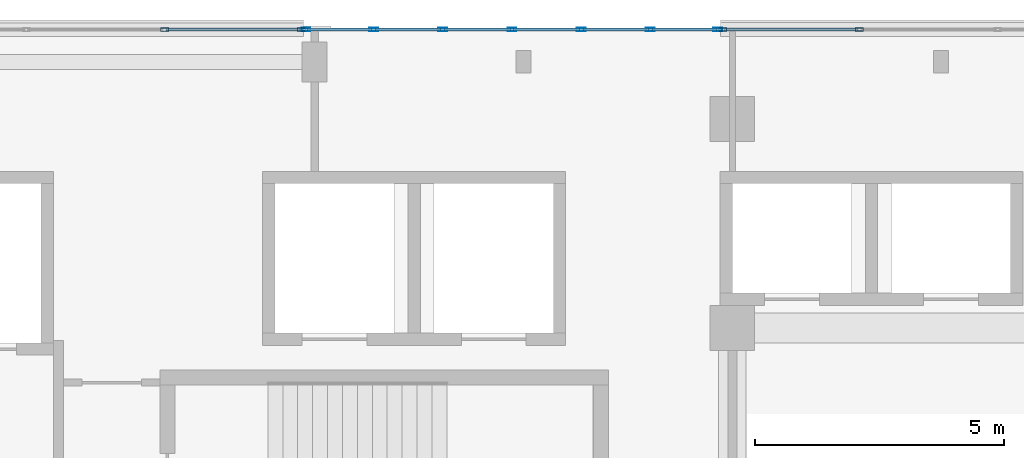
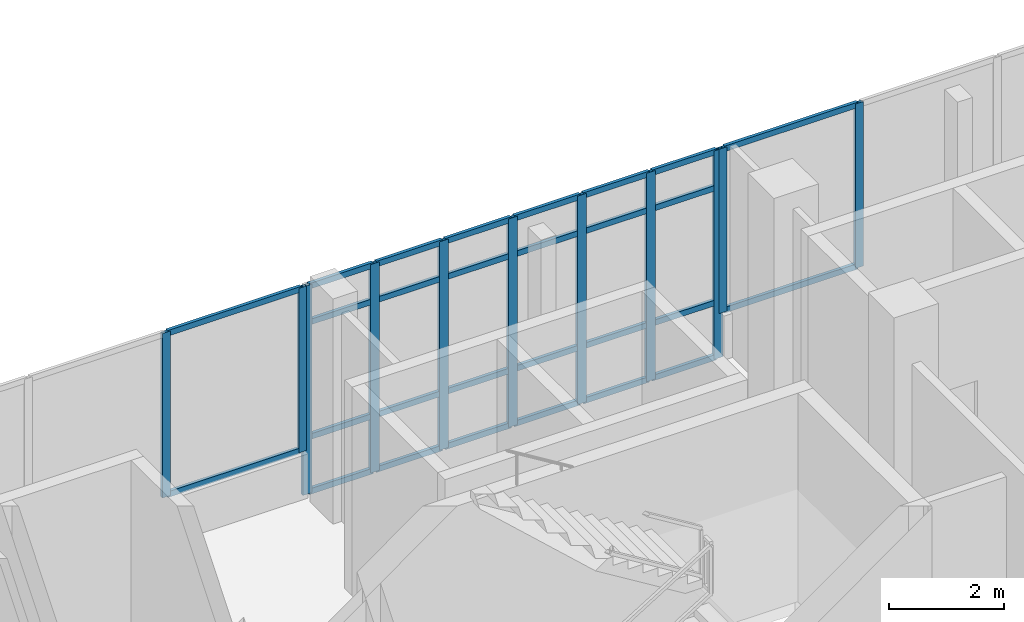
# One storey, part 97 of 168: 39 members, 3 elements without a shape of their own.
"""IFC4 building model written with IfcOpenShell, lengths in metres."""

from ifc_helpers import new_model, si_unit, direction, frame, origin, origin_2d, place, context, subcontext, project, spatial, hollow_rectangle, extrude, material, material_profile, profile_set, type_object, element, aggregate, save


model = new_model("IFC4")

# Units and contexts
model_context = context("Model", 3, precision=1e-05, world=origin(), true_north=direction((0.0, 1.0)))
body_context = subcontext(model_context, "Body", "Model", "MODEL_VIEW")
ifc_project = project(units=[si_unit("LENGTHUNIT", "METRE"), si_unit("AREAUNIT", "SQUARE_METRE"), si_unit("VOLUMEUNIT", "CUBIC_METRE"), si_unit("PLANEANGLEUNIT", "RADIAN"), si_unit("MASSUNIT", "GRAM", prefix="KILO")], contexts=[model_context])

# Site, building, storey
site_placement = place(None, origin())
site = spatial("IfcSite", under=ifc_project, at=site_placement, CompositionType="ELEMENT")
building_placement = place(site_placement, origin())
building = spatial("IfcBuilding", under=site, at=building_placement, Name="Selatvlak General Hospital", CompositionType="ELEMENT")
storey_placement = place(building_placement, frame((0.0, 0.0, 5.39990234375)))
storey = spatial("IfcBuildingStorey", under=building, at=storey_placement, Name="L01", CompositionType="ELEMENT", Elevation=5.39990234375)

# Curtain wall, members
ifc_material_1 = material(Name="Solar-control Low-E double glazing", Category="glass")
curtain_wall_type_1 = type_object("IfcCurtainWallType", Name="CW-CW-01", PredefinedType="USERDEFINED", material=ifc_material_1)
curtain_wall_1_placement = place(storey_placement, origin())
curtain_wall_1 = element("IfcCurtainWall", 1, at=curtain_wall_1_placement, inside=storey, type_object=curtain_wall_type_1, Name="Glazed facade curtain wall CW-L01-0122", ObjectType="UNITISED CURTAIN WALL", PredefinedType="USERDEFINED")
ifc_material_2 = material(Name="Dark anodised aluminium mullion", Category="aluminium")
ifc_material_profile_1 = material_profile(ifc_material_2, hollow_rectangle(XDim=0.06494140625, YDim=0.159912109375, WallThickness=0.00390625, at=origin_2d()), Name="AL-MUL 65x160x4")
ifc_profile_set_1 = profile_set([ifc_material_profile_1], Name="Dark anodised aluminium mullion")
member_type_1 = type_object("IfcMemberType", Name="CWM-01", PredefinedType="MULLION", material=ifc_profile_set_1)
member_1_placement = place(storey_placement, frame((103.781005859375, 119.999755859375, 0.940185546875), z_axis=(0.0, 0.0, 1.0), x_axis=(-0.000119774825, 0.999999992827, 0.0)))
member_1 = element("IfcMember", 2, at=member_1_placement, type_object=member_type_1, Name="CW-01 mullion 3", PredefinedType="MULLION", context=body_context, shape_type="SweptSolid", body=[
    extrude(hollow_rectangle(XDim=0.06494140625, YDim=0.159912109375, WallThickness=0.00390625, at=origin_2d()), origin(), (0.0, 0.0, 1.0), 3.5048828125),
])
member_2_placement = place(storey_placement, frame((106.531494140625, 120.0, 0.940185546875), z_axis=(0.0, 0.0, 1.0), x_axis=(-0.000119774825, 0.999999992827, 0.0)))
member_2 = element("IfcMember", 3, at=member_2_placement, type_object=member_type_1, Name="CW-01 mullion 4", PredefinedType="MULLION", context=body_context, shape_type="SweptSolid", body=[
    extrude(hollow_rectangle(XDim=0.06494140625, YDim=0.159912109375, WallThickness=0.00390625, at=origin_2d()), origin(), (0.0, 0.0, 1.0), 3.5048828125),
])

curtain_wall_2_placement = place(storey_placement, origin())
curtain_wall_2 = element("IfcCurtainWall", 4, at=curtain_wall_2_placement, inside=storey, type_object=curtain_wall_type_1, Name="Glazed facade curtain wall CW-L01-0124", ObjectType="UNITISED CURTAIN WALL", PredefinedType="USERDEFINED")
member_3_placement = place(storey_placement, frame((115.006591796875, 120.0, 0.940185546875), z_axis=(0.0, 0.0, 1.0), x_axis=(0.0, 1.0, 0.0)))
member_3 = element("IfcMember", 5, at=member_3_placement, type_object=member_type_1, Name="CW-01 mullion 1", PredefinedType="MULLION", context=body_context, shape_type="SweptSolid", body=[
    extrude(hollow_rectangle(XDim=0.06494140625, YDim=0.159912109375, WallThickness=0.00390625, at=origin_2d()), origin(), (0.0, 0.0, 1.0), 3.5048828125),
])
member_4_placement = place(storey_placement, frame((117.75732421875, 120.0, 0.940185546875), z_axis=(0.0, 0.0, 1.0), x_axis=(0.0, 1.0, 0.0)))
member_4 = element("IfcMember", 6, at=member_4_placement, type_object=member_type_1, Name="CW-01 mullion 2", PredefinedType="MULLION", context=body_context, shape_type="SweptSolid", body=[
    extrude(hollow_rectangle(XDim=0.06494140625, YDim=0.159912109375, WallThickness=0.00390625, at=origin_2d()), origin(), (0.0, 0.0, 1.0), 3.5048828125),
])

curtain_wall_type_2 = type_object("IfcCurtainWallType", Name="CW-CW-04", PredefinedType="USERDEFINED", material=ifc_material_1)
curtain_wall_3_placement = place(storey_placement, origin())
curtain_wall_3 = element("IfcCurtainWall", 7, at=curtain_wall_3_placement, inside=storey, type_object=curtain_wall_type_2, Name="Glazed facade curtain wall CW-L01-0123", ObjectType="STICK GLAZING WALL", PredefinedType="USERDEFINED")
ifc_material_profile_2 = material_profile(ifc_material_2, hollow_rectangle(XDim=0.06494140625, YDim=0.179931640625, WallThickness=0.00439453125, at=origin_2d()), Name="AL-MUL 65x180x4.5")
ifc_profile_set_2 = profile_set([ifc_material_profile_2], Name="Dark anodised aluminium mullion")
member_type_2 = type_object("IfcMemberType", Name="CWM-02", PredefinedType="MULLION", material=ifc_profile_set_2)
member_5_placement = place(storey_placement, frame((106.62646484375, 120.0, 0.0), z_axis=(0.0, 0.0, 1.0), x_axis=(0.0, 1.0, 0.0)))
member_5 = element("IfcMember", 8, at=member_5_placement, type_object=member_type_2, Name="CW-04 mullion 1", PredefinedType="MULLION", context=body_context, shape_type="SweptSolid", body=[
    extrude(hollow_rectangle(XDim=0.06494140625, YDim=0.179931640625, WallThickness=0.00439453125, at=origin_2d()), origin(), (0.0, 0.0, 1.0), 4.445068359375),
])
member_6_placement = place(storey_placement, frame((107.985595703125, 120.0, 0.0), z_axis=(0.0, 0.0, 1.0), x_axis=(0.0, 1.0, 0.0)))
member_6 = element("IfcMember", 9, at=member_6_placement, type_object=member_type_2, Name="CW-04 mullion 2", PredefinedType="MULLION", context=body_context, shape_type="SweptSolid", body=[
    extrude(hollow_rectangle(XDim=0.06494140625, YDim=0.179931640625, WallThickness=0.00439453125, at=origin_2d()), origin(), (0.0, 0.0, 1.0), 4.445068359375),
])
member_7_placement = place(storey_placement, frame((109.37744140625, 120.0, 0.0), z_axis=(0.0, 0.0, 1.0), x_axis=(0.0, 1.0, 0.0)))
member_7 = element("IfcMember", 10, at=member_7_placement, type_object=member_type_2, Name="CW-04 mullion 3", PredefinedType="MULLION", context=body_context, shape_type="SweptSolid", body=[
    extrude(hollow_rectangle(XDim=0.06494140625, YDim=0.179931640625, WallThickness=0.00439453125, at=origin_2d()), origin(), (0.0, 0.0, 1.0), 4.445068359375),
])
member_8_placement = place(storey_placement, frame((110.76904296875, 120.0, 0.0), z_axis=(0.0, 0.0, 1.0), x_axis=(0.0, 1.0, 0.0)))
member_8 = element("IfcMember", 11, at=member_8_placement, type_object=member_type_2, Name="CW-04 mullion 4", PredefinedType="MULLION", context=body_context, shape_type="SweptSolid", body=[
    extrude(hollow_rectangle(XDim=0.06494140625, YDim=0.179931640625, WallThickness=0.00439453125, at=origin_2d()), origin(), (0.0, 0.0, 1.0), 4.445068359375),
])
member_9_placement = place(storey_placement, frame((112.16064453125, 120.0, 0.0), z_axis=(0.0, 0.0, 1.0), x_axis=(0.0, 1.0, 0.0)))
member_9 = element("IfcMember", 12, at=member_9_placement, type_object=member_type_2, Name="CW-04 mullion 5", PredefinedType="MULLION", context=body_context, shape_type="SweptSolid", body=[
    extrude(hollow_rectangle(XDim=0.06494140625, YDim=0.179931640625, WallThickness=0.00439453125, at=origin_2d()), origin(), (0.0, 0.0, 1.0), 4.445068359375),
])
member_10_placement = place(storey_placement, frame((113.55224609375, 120.0, 0.0), z_axis=(0.0, 0.0, 1.0), x_axis=(0.0, 1.0, 0.0)))
member_10 = element("IfcMember", 13, at=member_10_placement, type_object=member_type_2, Name="CW-04 mullion 6", PredefinedType="MULLION", context=body_context, shape_type="SweptSolid", body=[
    extrude(hollow_rectangle(XDim=0.06494140625, YDim=0.179931640625, WallThickness=0.00439453125, at=origin_2d()), origin(), (0.0, 0.0, 1.0), 4.445068359375),
])
member_11_placement = place(storey_placement, frame((114.91162109375, 120.0, 0.0), z_axis=(0.0, 0.0, 1.0), x_axis=(0.0, 1.0, 0.0)))
member_11 = element("IfcMember", 14, at=member_11_placement, type_object=member_type_2, Name="CW-04 mullion 7", PredefinedType="MULLION", context=body_context, shape_type="SweptSolid", body=[
    extrude(hollow_rectangle(XDim=0.06494140625, YDim=0.179931640625, WallThickness=0.00439453125, at=origin_2d()), origin(), (0.0, 0.0, 1.0), 4.445068359375),
])

# Member
ifc_material_profile_3 = material_profile(ifc_material_2, hollow_rectangle(XDim=0.06494140625, YDim=0.1201171875, WallThickness=0.00390625, at=origin_2d()), Name="AL-TRN 65x120x4")
ifc_profile_set_3 = profile_set([ifc_material_profile_3], Name="Dark anodised aluminium mullion")
member_type_3 = type_object("IfcMemberType", Name="CWT-01", PredefinedType="USERDEFINED", material=ifc_profile_set_3)
member_12_placement = place(storey_placement, frame((103.8134765625, 119.999755859375, 0.97265625), z_axis=(0.999999995868, 9.0909091e-05, 0.0), x_axis=(-9.0909091e-05, 0.999999995868, 0.0)))
member_12 = element("IfcMember", 15, at=member_12_placement, type_object=member_type_3, Name="CW-01 transom 3.1", ObjectType="TRANSOM", PredefinedType="USERDEFINED", context=body_context, shape_type="SweptSolid", body=[
    extrude(hollow_rectangle(XDim=0.06494140625, YDim=0.1201171875, WallThickness=0.00390625, at=origin_2d()), origin(), (0.0, 0.0, 1.0), 2.685546875),
])

member_13_placement = place(storey_placement, frame((103.8134765625, 119.999755859375, 4.41259765625), z_axis=(0.999999995868, 9.0909091e-05, 0.0), x_axis=(-9.0909091e-05, 0.999999995868, 0.0)))
member_13 = element("IfcMember", 16, at=member_13_placement, type_object=member_type_3, Name="CW-01 transom 3.2", ObjectType="TRANSOM", PredefinedType="USERDEFINED", context=body_context, shape_type="SweptSolid", body=[
    extrude(hollow_rectangle(XDim=0.06494140625, YDim=0.1201171875, WallThickness=0.00390625, at=origin_2d()), origin(), (0.0, 0.0, 1.0), 2.685546875),
])

aggregate(curtain_wall_1, [member_1, member_2, member_12, member_13])

member_14_placement = place(storey_placement, frame((106.658935546875, 120.0, 0.03271484375), z_axis=(1.0, 0.0, 0.0), x_axis=(0.0, 1.0, 0.0)))
member_14 = element("IfcMember", 17, at=member_14_placement, type_object=member_type_3, Name="CW-04 transom 1.1", ObjectType="TRANSOM", PredefinedType="USERDEFINED", context=body_context, shape_type="SweptSolid", body=[
    extrude(hollow_rectangle(XDim=0.06494140625, YDim=0.1201171875, WallThickness=0.00390625, at=origin_2d()), origin(), (0.0, 0.0, 1.0), 1.294189453125),
])

member_15_placement = place(storey_placement, frame((106.658935546875, 120.0, 1.2001953125), z_axis=(1.0, 0.0, 0.0), x_axis=(0.0, 1.0, 0.0)))
member_15 = element("IfcMember", 18, at=member_15_placement, type_object=member_type_3, Name="CW-04 transom 1.2", ObjectType="TRANSOM", PredefinedType="USERDEFINED", context=body_context, shape_type="SweptSolid", body=[
    extrude(hollow_rectangle(XDim=0.06494140625, YDim=0.1201171875, WallThickness=0.00390625, at=origin_2d()), origin(), (0.0, 0.0, 1.0), 1.294189453125),
])

member_16_placement = place(storey_placement, frame((106.658935546875, 120.0, 3.64501953125), z_axis=(1.0, 0.0, 0.0), x_axis=(0.0, 1.0, 0.0)))
member_16 = element("IfcMember", 19, at=member_16_placement, type_object=member_type_3, Name="CW-04 transom 1.3", ObjectType="TRANSOM", PredefinedType="USERDEFINED", context=body_context, shape_type="SweptSolid", body=[
    extrude(hollow_rectangle(XDim=0.06494140625, YDim=0.1201171875, WallThickness=0.00390625, at=origin_2d()), origin(), (0.0, 0.0, 1.0), 1.294189453125),
])

member_17_placement = place(storey_placement, frame((106.658935546875, 120.0, 4.41259765625), z_axis=(1.0, 0.0, 0.0), x_axis=(0.0, 1.0, 0.0)))
member_17 = element("IfcMember", 20, at=member_17_placement, type_object=member_type_3, Name="CW-04 transom 1.4", ObjectType="TRANSOM", PredefinedType="USERDEFINED", context=body_context, shape_type="SweptSolid", body=[
    extrude(hollow_rectangle(XDim=0.06494140625, YDim=0.1201171875, WallThickness=0.00390625, at=origin_2d()), origin(), (0.0, 0.0, 1.0), 1.294189453125),
])

member_18_placement = place(storey_placement, frame((108.01806640625, 120.0, 0.03271484375), z_axis=(1.0, 0.0, 0.0), x_axis=(0.0, 1.0, 0.0)))
member_18 = element("IfcMember", 21, at=member_18_placement, type_object=member_type_3, Name="CW-04 transom 2.1", ObjectType="TRANSOM", PredefinedType="USERDEFINED", context=body_context, shape_type="SweptSolid", body=[
    extrude(hollow_rectangle(XDim=0.06494140625, YDim=0.1201171875, WallThickness=0.00390625, at=origin_2d()), origin(), (0.0, 0.0, 1.0), 1.32666015625),
])

member_19_placement = place(storey_placement, frame((108.01806640625, 120.0, 1.2001953125), z_axis=(1.0, 0.0, 0.0), x_axis=(0.0, 1.0, 0.0)))
member_19 = element("IfcMember", 22, at=member_19_placement, type_object=member_type_3, Name="CW-04 transom 2.2", ObjectType="TRANSOM", PredefinedType="USERDEFINED", context=body_context, shape_type="SweptSolid", body=[
    extrude(hollow_rectangle(XDim=0.06494140625, YDim=0.1201171875, WallThickness=0.00390625, at=origin_2d()), origin(), (0.0, 0.0, 1.0), 1.32666015625),
])

member_20_placement = place(storey_placement, frame((108.01806640625, 120.0, 3.64501953125), z_axis=(1.0, 0.0, 0.0), x_axis=(0.0, 1.0, 0.0)))
member_20 = element("IfcMember", 23, at=member_20_placement, type_object=member_type_3, Name="CW-04 transom 2.3", ObjectType="TRANSOM", PredefinedType="USERDEFINED", context=body_context, shape_type="SweptSolid", body=[
    extrude(hollow_rectangle(XDim=0.06494140625, YDim=0.1201171875, WallThickness=0.00390625, at=origin_2d()), origin(), (0.0, 0.0, 1.0), 1.32666015625),
])

member_21_placement = place(storey_placement, frame((108.01806640625, 120.0, 4.41259765625), z_axis=(1.0, 0.0, 0.0), x_axis=(0.0, 1.0, 0.0)))
member_21 = element("IfcMember", 24, at=member_21_placement, type_object=member_type_3, Name="CW-04 transom 2.4", ObjectType="TRANSOM", PredefinedType="USERDEFINED", context=body_context, shape_type="SweptSolid", body=[
    extrude(hollow_rectangle(XDim=0.06494140625, YDim=0.1201171875, WallThickness=0.00390625, at=origin_2d()), origin(), (0.0, 0.0, 1.0), 1.32666015625),
])

member_22_placement = place(storey_placement, frame((109.409912109375, 120.0, 0.03271484375), z_axis=(1.0, 0.0, 0.0), x_axis=(0.0, 1.0, 0.0)))
member_22 = element("IfcMember", 25, at=member_22_placement, type_object=member_type_3, Name="CW-04 transom 3.1", ObjectType="TRANSOM", PredefinedType="USERDEFINED", context=body_context, shape_type="SweptSolid", body=[
    extrude(hollow_rectangle(XDim=0.06494140625, YDim=0.1201171875, WallThickness=0.00390625, at=origin_2d()), origin(), (0.0, 0.0, 1.0), 1.32666015625),
])

member_23_placement = place(storey_placement, frame((109.409912109375, 120.0, 1.2001953125), z_axis=(1.0, 0.0, 0.0), x_axis=(0.0, 1.0, 0.0)))
member_23 = element("IfcMember", 26, at=member_23_placement, type_object=member_type_3, Name="CW-04 transom 3.2", ObjectType="TRANSOM", PredefinedType="USERDEFINED", context=body_context, shape_type="SweptSolid", body=[
    extrude(hollow_rectangle(XDim=0.06494140625, YDim=0.1201171875, WallThickness=0.00390625, at=origin_2d()), origin(), (0.0, 0.0, 1.0), 1.32666015625),
])

member_24_placement = place(storey_placement, frame((109.409912109375, 120.0, 3.64501953125), z_axis=(1.0, 0.0, 0.0), x_axis=(0.0, 1.0, 0.0)))
member_24 = element("IfcMember", 27, at=member_24_placement, type_object=member_type_3, Name="CW-04 transom 3.3", ObjectType="TRANSOM", PredefinedType="USERDEFINED", context=body_context, shape_type="SweptSolid", body=[
    extrude(hollow_rectangle(XDim=0.06494140625, YDim=0.1201171875, WallThickness=0.00390625, at=origin_2d()), origin(), (0.0, 0.0, 1.0), 1.32666015625),
])

member_25_placement = place(storey_placement, frame((109.409912109375, 120.0, 4.41259765625), z_axis=(1.0, 0.0, 0.0), x_axis=(0.0, 1.0, 0.0)))
member_25 = element("IfcMember", 28, at=member_25_placement, type_object=member_type_3, Name="CW-04 transom 3.4", ObjectType="TRANSOM", PredefinedType="USERDEFINED", context=body_context, shape_type="SweptSolid", body=[
    extrude(hollow_rectangle(XDim=0.06494140625, YDim=0.1201171875, WallThickness=0.00390625, at=origin_2d()), origin(), (0.0, 0.0, 1.0), 1.32666015625),
])

member_26_placement = place(storey_placement, frame((110.801513671875, 120.0, 0.03271484375), z_axis=(1.0, 0.0, 0.0), x_axis=(0.0, 1.0, 0.0)))
member_26 = element("IfcMember", 29, at=member_26_placement, type_object=member_type_3, Name="CW-04 transom 4.1", ObjectType="TRANSOM", PredefinedType="USERDEFINED", context=body_context, shape_type="SweptSolid", body=[
    extrude(hollow_rectangle(XDim=0.06494140625, YDim=0.1201171875, WallThickness=0.00390625, at=origin_2d()), origin(), (0.0, 0.0, 1.0), 1.32666015625),
])

member_27_placement = place(storey_placement, frame((110.801513671875, 120.0, 1.2001953125), z_axis=(1.0, 0.0, 0.0), x_axis=(0.0, 1.0, 0.0)))
member_27 = element("IfcMember", 30, at=member_27_placement, type_object=member_type_3, Name="CW-04 transom 4.2", ObjectType="TRANSOM", PredefinedType="USERDEFINED", context=body_context, shape_type="SweptSolid", body=[
    extrude(hollow_rectangle(XDim=0.06494140625, YDim=0.1201171875, WallThickness=0.00390625, at=origin_2d()), origin(), (0.0, 0.0, 1.0), 1.32666015625),
])

member_28_placement = place(storey_placement, frame((110.801513671875, 120.0, 3.64501953125), z_axis=(1.0, 0.0, 0.0), x_axis=(0.0, 1.0, 0.0)))
member_28 = element("IfcMember", 31, at=member_28_placement, type_object=member_type_3, Name="CW-04 transom 4.3", ObjectType="TRANSOM", PredefinedType="USERDEFINED", context=body_context, shape_type="SweptSolid", body=[
    extrude(hollow_rectangle(XDim=0.06494140625, YDim=0.1201171875, WallThickness=0.00390625, at=origin_2d()), origin(), (0.0, 0.0, 1.0), 1.32666015625),
])

member_29_placement = place(storey_placement, frame((110.801513671875, 120.0, 4.41259765625), z_axis=(1.0, 0.0, 0.0), x_axis=(0.0, 1.0, 0.0)))
member_29 = element("IfcMember", 32, at=member_29_placement, type_object=member_type_3, Name="CW-04 transom 4.4", ObjectType="TRANSOM", PredefinedType="USERDEFINED", context=body_context, shape_type="SweptSolid", body=[
    extrude(hollow_rectangle(XDim=0.06494140625, YDim=0.1201171875, WallThickness=0.00390625, at=origin_2d()), origin(), (0.0, 0.0, 1.0), 1.32666015625),
])

member_30_placement = place(storey_placement, frame((112.193115234375, 120.0, 0.03271484375), z_axis=(1.0, 0.0, 0.0), x_axis=(0.0, 1.0, 0.0)))
member_30 = element("IfcMember", 33, at=member_30_placement, type_object=member_type_3, Name="CW-04 transom 5.1", ObjectType="TRANSOM", PredefinedType="USERDEFINED", context=body_context, shape_type="SweptSolid", body=[
    extrude(hollow_rectangle(XDim=0.06494140625, YDim=0.1201171875, WallThickness=0.00390625, at=origin_2d()), origin(), (0.0, 0.0, 1.0), 1.32666015625),
])

member_31_placement = place(storey_placement, frame((112.193115234375, 120.0, 1.2001953125), z_axis=(1.0, 0.0, 0.0), x_axis=(0.0, 1.0, 0.0)))
member_31 = element("IfcMember", 34, at=member_31_placement, type_object=member_type_3, Name="CW-04 transom 5.2", ObjectType="TRANSOM", PredefinedType="USERDEFINED", context=body_context, shape_type="SweptSolid", body=[
    extrude(hollow_rectangle(XDim=0.06494140625, YDim=0.1201171875, WallThickness=0.00390625, at=origin_2d()), origin(), (0.0, 0.0, 1.0), 1.32666015625),
])

member_32_placement = place(storey_placement, frame((112.193115234375, 120.0, 3.64501953125), z_axis=(1.0, 0.0, 0.0), x_axis=(0.0, 1.0, 0.0)))
member_32 = element("IfcMember", 35, at=member_32_placement, type_object=member_type_3, Name="CW-04 transom 5.3", ObjectType="TRANSOM", PredefinedType="USERDEFINED", context=body_context, shape_type="SweptSolid", body=[
    extrude(hollow_rectangle(XDim=0.06494140625, YDim=0.1201171875, WallThickness=0.00390625, at=origin_2d()), origin(), (0.0, 0.0, 1.0), 1.32666015625),
])

member_33_placement = place(storey_placement, frame((112.193115234375, 120.0, 4.41259765625), z_axis=(1.0, 0.0, 0.0), x_axis=(0.0, 1.0, 0.0)))
member_33 = element("IfcMember", 36, at=member_33_placement, type_object=member_type_3, Name="CW-04 transom 5.4", ObjectType="TRANSOM", PredefinedType="USERDEFINED", context=body_context, shape_type="SweptSolid", body=[
    extrude(hollow_rectangle(XDim=0.06494140625, YDim=0.1201171875, WallThickness=0.00390625, at=origin_2d()), origin(), (0.0, 0.0, 1.0), 1.32666015625),
])

member_34_placement = place(storey_placement, frame((113.584716796875, 120.0, 0.03271484375), z_axis=(1.0, 0.0, 0.0), x_axis=(0.0, 1.0, 0.0)))
member_34 = element("IfcMember", 37, at=member_34_placement, type_object=member_type_3, Name="CW-04 transom 6.1", ObjectType="TRANSOM", PredefinedType="USERDEFINED", context=body_context, shape_type="SweptSolid", body=[
    extrude(hollow_rectangle(XDim=0.06494140625, YDim=0.1201171875, WallThickness=0.00390625, at=origin_2d()), origin(), (0.0, 0.0, 1.0), 1.294189453125),
])

member_35_placement = place(storey_placement, frame((113.584716796875, 120.0, 1.2001953125), z_axis=(1.0, 0.0, 0.0), x_axis=(0.0, 1.0, 0.0)))
member_35 = element("IfcMember", 38, at=member_35_placement, type_object=member_type_3, Name="CW-04 transom 6.2", ObjectType="TRANSOM", PredefinedType="USERDEFINED", context=body_context, shape_type="SweptSolid", body=[
    extrude(hollow_rectangle(XDim=0.06494140625, YDim=0.1201171875, WallThickness=0.00390625, at=origin_2d()), origin(), (0.0, 0.0, 1.0), 1.294189453125),
])

member_36_placement = place(storey_placement, frame((113.584716796875, 120.0, 3.64501953125), z_axis=(1.0, 0.0, 0.0), x_axis=(0.0, 1.0, 0.0)))
member_36 = element("IfcMember", 39, at=member_36_placement, type_object=member_type_3, Name="CW-04 transom 6.3", ObjectType="TRANSOM", PredefinedType="USERDEFINED", context=body_context, shape_type="SweptSolid", body=[
    extrude(hollow_rectangle(XDim=0.06494140625, YDim=0.1201171875, WallThickness=0.00390625, at=origin_2d()), origin(), (0.0, 0.0, 1.0), 1.294189453125),
])

member_37_placement = place(storey_placement, frame((113.584716796875, 120.0, 4.41259765625), z_axis=(1.0, 0.0, 0.0), x_axis=(0.0, 1.0, 0.0)))
member_37 = element("IfcMember", 40, at=member_37_placement, type_object=member_type_3, Name="CW-04 transom 6.4", ObjectType="TRANSOM", PredefinedType="USERDEFINED", context=body_context, shape_type="SweptSolid", body=[
    extrude(hollow_rectangle(XDim=0.06494140625, YDim=0.1201171875, WallThickness=0.00390625, at=origin_2d()), origin(), (0.0, 0.0, 1.0), 1.294189453125),
])

aggregate(curtain_wall_3, [member_5, member_6, member_7, member_8, member_9, member_10, member_11, member_14, member_15, member_16, member_17, member_18, member_19, member_20, member_21, member_22, member_23, member_24, member_25, member_26, member_27, member_28, member_29, member_30, member_31, member_32, member_33, member_34, member_35, member_36, member_37])

member_38_placement = place(storey_placement, frame((115.0390625, 120.0, 0.97265625), z_axis=(1.0, 0.0, 0.0), x_axis=(0.0, 1.0, 0.0)))
member_38 = element("IfcMember", 41, at=member_38_placement, type_object=member_type_3, Name="CW-01 transom 1.1", ObjectType="TRANSOM", PredefinedType="USERDEFINED", context=body_context, shape_type="SweptSolid", body=[
    extrude(hollow_rectangle(XDim=0.06494140625, YDim=0.1201171875, WallThickness=0.00390625, at=origin_2d()), origin(), (0.0, 0.0, 1.0), 2.685791015625),
])

member_39_placement = place(storey_placement, frame((115.0390625, 120.0, 4.41259765625), z_axis=(1.0, 0.0, 0.0), x_axis=(0.0, 1.0, 0.0)))
member_39 = element("IfcMember", 42, at=member_39_placement, type_object=member_type_3, Name="CW-01 transom 1.2", ObjectType="TRANSOM", PredefinedType="USERDEFINED", context=body_context, shape_type="SweptSolid", body=[
    extrude(hollow_rectangle(XDim=0.06494140625, YDim=0.1201171875, WallThickness=0.00390625, at=origin_2d()), origin(), (0.0, 0.0, 1.0), 2.685791015625),
])

aggregate(curtain_wall_2, [member_3, member_4, member_38, member_39])

save(model, "model.ifc")
